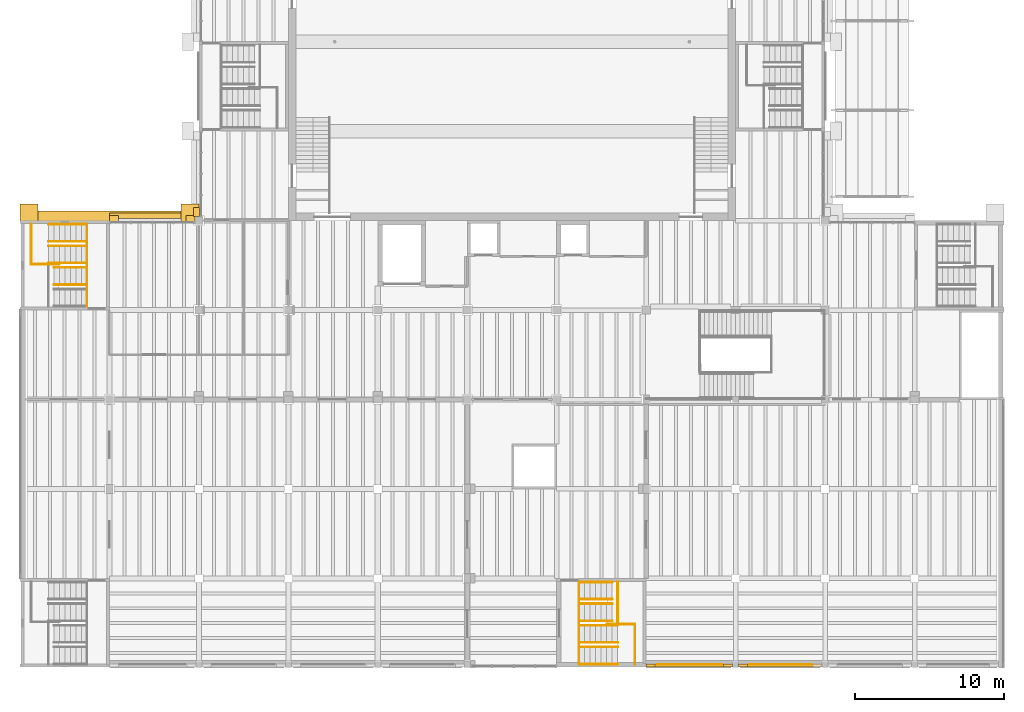
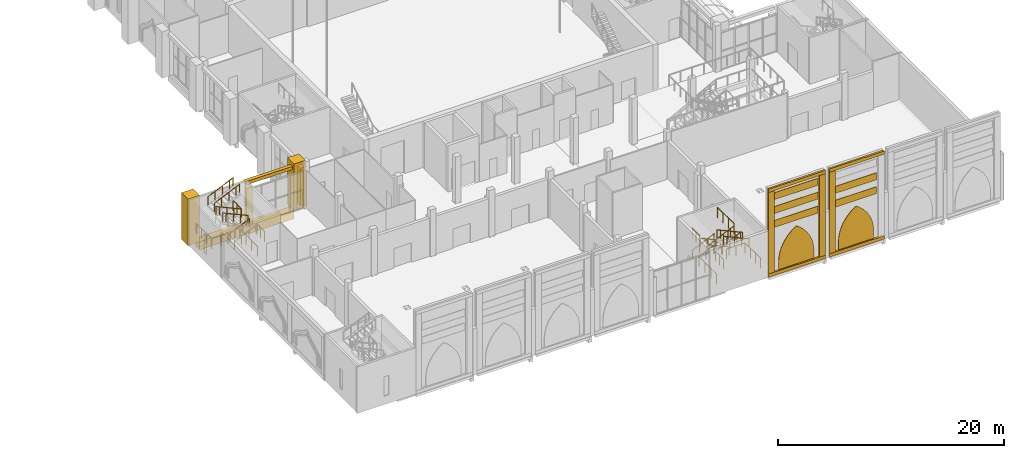
# One storey, part 60 of 80: 25 railings, 21 coverings.
"""IFC4 building model written with IfcOpenShell, lengths in metres."""

import ifcopenshell
import ifcopenshell.guid

model = None  # the IFC model being written
_history = None  # IfcOwnerHistory: only IFC2X3 demands one
_inside = {}  # id of a spatial element -> (the spatial element, [elements in it])
_under = {}  # id of a project, library or spatial element -> (it, [spatial elements below it])
_declared = {}  # id of a project -> (the project, [libraries it declares])
_typed = {}  # id of a type object -> (the type object, [elements of that type])
_made_of = {}  # id of a material, layer set ... -> (it, [elements and type objects made of it])


def new_model(schema):
    """Start an empty IFC model of exactly this schema.

    Asked for "IFC4X3", IfcOpenShell would pick the latest addendum, in which some entities
    have other attributes; the version numbers below select the first issue.
    IFC2X3 requires an IfcOwnerHistory on every rooted entity: one is made here for all.
    """
    global model, _history
    if schema == "IFC4X3":
        model = ifcopenshell.file(schema_version=(4, 3, 0, 0))
    else:
        model = ifcopenshell.file(schema=schema)
    _inside.clear()
    _under.clear()
    _declared.clear()
    _typed.clear()
    _made_of.clear()
    _history = None
    if model.schema == "IFC2X3":
        org = make("IfcOrganization", Name="unknown")
        user = make(
            "IfcPersonAndOrganization",
            ThePerson=make("IfcPerson", FamilyName="unknown"),
            TheOrganization=org,
        )
        app = make(
            "IfcApplication",
            ApplicationDeveloper=org,
            Version="unknown",
            ApplicationFullName="unknown",
            ApplicationIdentifier="unknown",
        )
        _history = make(
            "IfcOwnerHistory",
            OwningUser=user,
            OwningApplication=app,
            ChangeAction="ADDED",
            CreationDate=0,
        )
    return model


def make(cls, **values):
    """One entity of the class cls with the attributes given. An attribute that is None is left unset."""
    return model.create_entity(
        cls, **{name: value for name, value in values.items() if value is not None}
    )


def rooted(cls, **values):
    """An entity with a GlobalId (a new one), such as an element, a storey or a relation."""
    return make(cls, GlobalId=ifcopenshell.guid.new(), OwnerHistory=_history, **values)


def si_unit(unit_type, name, prefix=None):
    """IfcSIUnit, for example si_unit("LENGTHUNIT", "METRE", prefix="MILLI")."""
    return make("IfcSIUnit", UnitType=unit_type, Prefix=prefix, Name=name)


def assignment(units):
    """IfcUnitAssignment: the units of a project."""
    return None if units is None else make("IfcUnitAssignment", Units=units)


def point(xyz):
    """IfcCartesianPoint."""
    return None if xyz is None else make("IfcCartesianPoint", Coordinates=xyz)


def direction(xyz):
    """IfcDirection."""
    return None if xyz is None else make("IfcDirection", DirectionRatios=xyz)


def frame(location, z_axis=None, x_axis=None):
    """IfcAxis2Placement3D, a coordinate frame: its origin and axes. An axis left out is left unset."""
    return make(
        "IfcAxis2Placement3D",
        Location=point(location),
        Axis=direction(z_axis),
        RefDirection=direction(x_axis),
    )


def frame_2d(location, x_axis=None):
    """IfcAxis2Placement2D, a coordinate frame in the plane: its origin and x axis."""
    return make(
        "IfcAxis2Placement2D", Location=point(location), RefDirection=direction(x_axis)
    )


def origin():
    """The frame at (0, 0, 0) with its axes left unset."""
    return frame((0.0, 0.0, 0.0))


def origin_2d():
    """The frame at (0, 0) in the plane with its x axis left unset."""
    return frame_2d((0.0, 0.0))


def place(relative_to, where):
    """IfcLocalPlacement: puts the frame where relative to a parent placement (None: the world)."""
    return make(
        "IfcLocalPlacement", PlacementRelTo=relative_to, RelativePlacement=where
    )


def context(
    kind, dimensions, precision=None, world=None, true_north=None, identifier=None
):
    """IfcGeometricRepresentationContext, for example the 3D "Model" context."""
    return make(
        "IfcGeometricRepresentationContext",
        ContextIdentifier=identifier,
        ContextType=kind,
        CoordinateSpaceDimension=dimensions,
        Precision=precision,
        WorldCoordinateSystem=world,
        TrueNorth=true_north,
    )


def subcontext(parent, identifier, kind, view, scale=None):
    """IfcGeometricRepresentationSubContext, for example "Body" below "Model"."""
    return make(
        "IfcGeometricRepresentationSubContext",
        ContextIdentifier=identifier,
        ContextType=kind,
        ParentContext=parent,
        TargetScale=scale,
        TargetView=view,
    )


def project(units=None, contexts=None):
    """IfcProject with its units and contexts."""
    return rooted(
        "IfcProject",
        Name="project",
        RepresentationContexts=contexts,
        UnitsInContext=assignment(units),
    )


def spatial(cls, under=None, at=None, **own):
    """A site, building, storey or space (cls), placed at a placement, below another one or the project."""
    s = rooted(cls, ObjectPlacement=at, **own)
    if under is not None:
        _under.setdefault(under.id(), (under, []))[1].append(s)
    return s


def polyline(points):
    """IfcPolyline through the points."""
    return make("IfcPolyline", Points=[point(p) for p in points])


def profile(cls, at=None, kind="AREA", **sizes):
    """A parametric profile (cls). Its sizes go by their IFC names, for example OverallWidth=200.0."""
    return make(cls, ProfileType=kind, Position=at, **sizes)


def rectangle(**sizes):
    """IfcRectangleProfileDef."""
    return profile("IfcRectangleProfileDef", **sizes)


def circle(**sizes):
    """IfcCircleProfileDef."""
    return profile("IfcCircleProfileDef", **sizes)


def outline(outer, holes=None, kind="AREA"):
    """IfcArbitraryClosedProfileDef: a profile drawn as a closed curve; with holes, ...WithVoids."""
    if holes is None:
        return make("IfcArbitraryClosedProfileDef", ProfileType=kind, OuterCurve=outer)
    return make(
        "IfcArbitraryProfileDefWithVoids",
        ProfileType=kind,
        OuterCurve=outer,
        InnerCurves=holes,
    )


def extrude(swept, where, along, depth):
    """IfcExtrudedAreaSolid: the profile swept, set in the frame where, extruded along a direction by depth."""
    return make(
        "IfcExtrudedAreaSolid",
        SweptArea=swept,
        Position=where,
        ExtrudedDirection=direction(along),
        Depth=depth,
    )


def shape(context_of_items, identifier, shape_type, items):
    """IfcShapeRepresentation: the items that make up one representation, for example the "Body"."""
    return make(
        "IfcShapeRepresentation",
        ContextOfItems=context_of_items,
        RepresentationIdentifier=identifier,
        RepresentationType=shape_type,
        Items=items,
    )


def material(Name=None, Category=None):
    """IfcMaterial."""
    return make("IfcMaterial", Name=Name, Category=Category)


def layer(
    of_material, thickness, ventilated=None, Name=None, Category=None, Priority=None
):
    """IfcMaterialLayer: one layer of a wall or slab, of a material (None: an air gap)."""
    return make(
        "IfcMaterialLayer",
        Material=of_material,
        LayerThickness=thickness,
        IsVentilated=ventilated,
        Name=Name,
        Category=Category,
        Priority=Priority,
    )


def layer_set(layers, Name=None):
    """IfcMaterialLayerSet."""
    return make("IfcMaterialLayerSet", MaterialLayers=layers, LayerSetName=Name)


def made_of(thing, what):
    """Note that an element or type object is made of a material, layer set ...; save() writes the relation."""
    if what is not None:
        _made_of.setdefault(what.id(), (what, []))[1].append(thing)
    return thing


def type_object(cls, material=None, **own):
    """A type object (cls), such as IfcWallType, which elements share."""
    return made_of(rooted(cls, **own), material)


def element(
    cls,
    number,
    at=None,
    inside=None,
    cuts=None,
    type_object=None,
    material=None,
    context=None,
    identifier="Body",
    shape_type=None,
    held_by="IfcProductDefinitionShape",
    body=None,
    shapes=None,
    **own,
):
    """One element of the class cls, such as IfcWall. Its Tag is "e" and its number.

    at: its placement. inside: the storey or other place that contains it. cuts: it is an
    opening in that element (IfcRelVoidsElement). A single representation is given by context,
    identifier, shape_type and body (its items); several are given by shapes. held_by: the class
    of the entity that holds the representations. save() writes the other relations.
    """
    e = rooted(cls, Tag="e%d" % number, ObjectPlacement=at, **own)
    if body is not None:
        shapes = [shape(context, identifier, shape_type, body)]
    if shapes is not None:
        e.Representation = make(held_by, Representations=shapes)
    if inside is not None:
        _inside.setdefault(inside.id(), (inside, []))[1].append(e)
    if cuts is not None:
        rooted(
            "IfcRelVoidsElement", RelatingBuildingElement=cuts, RelatedOpeningElement=e
        )
    if type_object is not None:
        _typed.setdefault(type_object.id(), (type_object, []))[1].append(e)
    return made_of(e, material)


def aggregate(whole, parts):
    """IfcRelAggregates: a whole, such as a stair, and the parts it consists of."""
    return rooted("IfcRelAggregates", RelatingObject=whole, RelatedObjects=parts)


def save(model, path):
    """Write the relations noted so far, then the file.

    IfcRelAggregates (storeys below a building ...), IfcRelContainedInSpatialStructure (elements
    in a storey), IfcRelDefinesByType, IfcRelAssociatesMaterial and IfcRelDeclares: one each for
    every whole, place, type object, material and project.
    """
    for whole, parts in _under.values():
        aggregate(whole, parts)
    for where, things in _inside.values():
        rooted(
            "IfcRelContainedInSpatialStructure",
            RelatedElements=things,
            RelatingStructure=where,
        )
    for kind, things in _typed.values():
        rooted("IfcRelDefinesByType", RelatedObjects=things, RelatingType=kind)
    for what, things in _made_of.values():
        rooted("IfcRelAssociatesMaterial", RelatedObjects=things, RelatingMaterial=what)
    for by, libraries in _declared.values():
        rooted("IfcRelDeclares", RelatingContext=by, RelatedDefinitions=libraries)
    model.write(path)


model = new_model("IFC4")

# Units and contexts
model_context = context("Model", 3, precision=1e-05, world=origin(), true_north=direction((0.0, 1.0)))
body_context = subcontext(model_context, "Body", "Model", "MODEL_VIEW")
ifc_project = project(units=[si_unit("LENGTHUNIT", "METRE"), si_unit("AREAUNIT", "SQUARE_METRE"), si_unit("VOLUMEUNIT", "CUBIC_METRE"), si_unit("PLANEANGLEUNIT", "RADIAN"), si_unit("MASSUNIT", "GRAM", prefix="KILO")], contexts=[model_context])

# Site, building, storey
site_placement = place(None, origin())
site = spatial("IfcSite", under=ifc_project, at=site_placement, CompositionType="ELEMENT")
building_placement = place(site_placement, origin())
building = spatial("IfcBuilding", under=site, at=building_placement, Name="Saffron Lane Theatres", CompositionType="ELEMENT")
storey_placement = place(building_placement, frame((0.0, 0.0, 7.0)))
storey = spatial("IfcBuildingStorey", under=building, at=storey_placement, Name="L01", CompositionType="ELEMENT", Elevation=7.0)

# Coverings
ifc_material_1 = material(Name="Masonry pale clay brick", Category="masonry")
ifc_layer_1 = layer(ifc_material_1, 0.050048828125)
ifc_layer_set_1 = layer_set([ifc_layer_1], Name="Masonry pale clay brick")
covering_type_1 = type_object("IfcCoveringType", Name="EX-ARCH PANEL BRICK 50", PredefinedType="CLADDING", material=ifc_layer_set_1)
covering_1_placement = place(storey_placement, frame((52.800048828125, 0.25, 1.199951171875), z_axis=(0.0, 1.0, 0.0), x_axis=(0.0, 0.0, -1.0)))
element("IfcCovering", 1, at=covering_1_placement, inside=storey, type_object=covering_type_1, Name="Blind arch panel 5", PredefinedType="CLADDING", context=body_context, shape_type="SweptSolid", body=[
    extrude(outline(polyline([(0.0, 0.0), (0.89990234375, 0.0), (0.89990234375, 3.60009765625), (0.0, 3.60009765625), (-0.385986328125, 3.580078125), (-0.76904296875, 3.52197265625), (-1.14306640625, 3.425048828125), (-1.506103515625, 3.2900390625), (-1.85302734375, 3.1201171875), (-2.18115234375, 2.9150390625), (-2.487060546875, 2.677978515625), (-2.76708984375, 2.4111328125), (-3.01904296875, 2.1181640625), (-3.239990234375, 1.800048828125), (-3.01904296875, 1.48193359375), (-2.76708984375, 1.18896484375), (-2.487060546875, 0.922119140625), (-2.18115234375, 0.68505859375), (-1.85302734375, 0.47998046875), (-1.506103515625, 0.31005859375), (-1.14306640625, 0.175048828125), (-0.76904296875, 0.078125), (-0.385986328125, 0.02001953125), (0.0, 0.0)])), origin(), (0.0, 0.0, -1.0), 0.050048828125),
])
covering_2_placement = place(storey_placement, frame((46.699951171875, 0.25, 1.199951171875), z_axis=(0.0, 1.0, 0.0), x_axis=(0.0, 0.0, -1.0)))
element("IfcCovering", 2, at=covering_2_placement, inside=storey, type_object=covering_type_1, Name="Blind arch panel 6", PredefinedType="CLADDING", context=body_context, shape_type="SweptSolid", body=[
    extrude(outline(polyline([(0.0, 0.0), (0.89990234375, 0.0), (0.89990234375, 3.599853515625), (0.0, 3.599853515625), (-0.385986328125, 3.579833984375), (-0.76904296875, 3.52197265625), (-1.14306640625, 3.425048828125), (-1.506103515625, 3.2900390625), (-1.85302734375, 3.119873046875), (-2.18115234375, 2.9150390625), (-2.487060546875, 2.677978515625), (-2.76708984375, 2.410888671875), (-3.01904296875, 2.117919921875), (-3.239990234375, 1.800048828125), (-3.01904296875, 1.48193359375), (-2.76708984375, 1.18896484375), (-2.487060546875, 0.921875), (-2.18115234375, 0.68505859375), (-1.85302734375, 0.47998046875), (-1.506103515625, 0.31005859375), (-1.14306640625, 0.175048828125), (-0.76904296875, 0.077880859375), (-0.385986328125, 0.02001953125), (0.0, 0.0)])), origin(), (0.0, 0.0, -1.0), 0.050048828125),
])
ifc_material_2 = material(Name="Masonry sandstone", Category="masonry")
ifc_layer_2 = layer(ifc_material_2, 0.0400390625)
ifc_layer_set_2 = layer_set([ifc_layer_2], Name="Masonry sandstone")
covering_type_2 = type_object("IfcCoveringType", Name="EX-BANDING COURSE SANDSTONE 40", PredefinedType="CLADDING", material=ifc_layer_set_2)
for number, where, z_axis, x_axis, name in (
    (3, (51.0, 0.22998046875, 5.050048828125), (0.0, 0.0, 1.0), (-1.0, 0.0, 0.0), "Banding course L01"),
    (4, (51.0, 0.22998046875, 6.550048828125), (0.0, 0.0, 1.0), (-1.0, 0.0, 0.0), "Banding course L01"),
):
    element("IfcCovering", number, at=place(storey_placement, frame(where, z_axis=z_axis, x_axis=x_axis)), inside=storey, type_object=covering_type_2, Name=name, PredefinedType="CLADDING", context=body_context, shape_type="SweptSolid", body=[
        extrude(rectangle(XDim=4.199951171875, YDim=0.0400390625, at=origin_2d()), origin(), (0.0, 0.0, 1.0), 0.75),
    ])
for number, where, z_axis, x_axis, name in (
    (5, (44.89990234375, 0.22998046875, 5.050048828125), (0.0, 0.0, 1.0), (-1.0, 0.0, 0.0), "Banding course L01"),
    (6, (44.89990234375, 0.22998046875, 6.550048828125), (0.0, 0.0, 1.0), (-1.0, 0.0, 0.0), "Banding course L01"),
    (7, (44.89990234375, 0.22998046875, 8.050048828125), (0.0, 0.0, 1.0), (-1.0, 0.0, 0.0), "Banding course L01"),
):
    element("IfcCovering", number, at=place(storey_placement, frame(where, z_axis=z_axis, x_axis=x_axis)), inside=storey, type_object=covering_type_2, Name=name, PredefinedType="CLADDING", context=body_context, shape_type="SweptSolid", body=[
        extrude(rectangle(XDim=4.39990234375, YDim=0.0400390625, at=origin_2d()), origin(), (0.0, 0.0, 1.0), 0.75),
    ])
ifc_material_3 = material(Name="Masonry sandstone", Category="masonry")
ifc_layer_3 = layer(ifc_material_3, 0.64990234375)
ifc_layer_set_3 = layer_set([ifc_layer_3], Name="Masonry sandstone")
covering_type_3 = type_object("IfcCoveringType", Name="EX-BRESSUMMER BAND SANDSTONE 650", PredefinedType="CLADDING", material=ifc_layer_set_3)
covering_3_placement = place(storey_placement, frame((6.0, 30.300048828125, -0.89990234375), z_axis=(0.0, 0.0, 1.0), x_axis=(1.0, 0.0, 0.0)))
element("IfcCovering", 8, at=covering_3_placement, inside=storey, type_object=covering_type_3, Name="Rear bressummer band L01", PredefinedType="CLADDING", context=body_context, shape_type="SweptSolid", body=[
    extrude(rectangle(XDim=9.60009765625, YDim=0.699951171875, at=origin_2d()), origin(), (0.0, 0.0, 1.0), 0.89990234375),
])
ifc_material_4 = material(Name="Masonry sandstone", Category="masonry")
ifc_layer_4 = layer(ifc_material_4, 0.39990234375)
ifc_layer_set_4 = layer_set([ifc_layer_4], Name="Masonry sandstone")
covering_type_4 = type_object("IfcCoveringType", Name="EX-PILASTER PIER SANDSTONE 400", PredefinedType="CLADDING", material=ifc_layer_set_4)
for number, where, z_axis, x_axis, name in (
    (9, (6.300048828125, 30.14990234375, 0.0), (0.0, 0.0, 1.0), (1.0, 0.0, 0.0), "Pilaster pier L01"),
    (10, (11.425048828125, 30.14990234375, 0.0), (0.0, 0.0, 1.0), (1.0, 0.0, 0.0), "Pilaster pier L01"),
    (11, (11.85009765625, 30.574951171875, 0.0), (0.0, 0.0, 1.0), (0.0, 1.0, 0.0), "Pilaster pier L01"),
):
    element("IfcCovering", number, at=place(storey_placement, frame(where, z_axis=z_axis, x_axis=x_axis)), inside=storey, type_object=covering_type_4, Name=name, PredefinedType="CLADDING", context=body_context, shape_type="SweptSolid", body=[
        extrude(rectangle(XDim=0.60009765625, YDim=0.39990234375, at=origin_2d()), origin(), (0.0, 0.0, 1.0), 4.050048828125),
    ])
ifc_material_5 = material(Name="Masonry sandstone", Category="masonry")
ifc_layer_5 = layer(ifc_material_5, 0.14990234375)
ifc_layer_set_5 = layer_set([ifc_layer_5], Name="Masonry sandstone")
covering_type_5 = type_object("IfcCoveringType", Name="EX-PILASTER STRIP SANDSTONE 600", PredefinedType="CLADDING", material=ifc_layer_set_5)
for number, where, z_axis, x_axis, name in (
    (12, (48.5, 0.155029296875, 0.35009765625), (0.0, 0.0, 1.0), (-1.0, 0.0, 0.0), "Pilaster strip L01"),
    (13, (47.5, 0.155029296875, 0.35009765625), (0.0, 0.0, 1.0), (-1.0, 0.0, 0.0), "Pilaster strip L01"),
    (14, (42.300048828125, 0.155029296875, 0.35009765625), (0.0, 0.0, 1.0), (-1.0, 0.0, 0.0), "Pilaster strip L01"),
):
    element("IfcCovering", number, at=place(storey_placement, frame(where, z_axis=z_axis, x_axis=x_axis)), inside=storey, type_object=covering_type_5, Name=name, PredefinedType="CLADDING", context=body_context, shape_type="SweptSolid", body=[
        extrude(rectangle(XDim=0.60009765625, YDim=0.18994140625, at=origin_2d()), origin(), (0.0, 0.0, 1.0), 8.800048828125),
    ])
ifc_material_6 = material(Name="Masonry sandstone", Category="masonry")
ifc_layer_6 = layer(ifc_material_6, 1.199951171875)
ifc_layer_set_6 = layer_set([ifc_layer_6], Name="Masonry sandstone")
covering_type_6 = type_object("IfcCoveringType", Name="EX-REAR BUTTRESS PIER SANDSTONE 1200", PredefinedType="CLADDING", material=ifc_layer_set_6)
for number, where, z_axis, x_axis, name in (
    (15, (0.60009765625, 30.52490234375, 0.0), (0.0, 0.0, 1.0), (1.0, 0.0, 0.0), "Rear buttress pier L01"),
    (16, (11.39990234375, 30.52490234375, 0.0), (0.0, 0.0, 1.0), (1.0, 0.0, 0.0), "Rear buttress pier L01"),
):
    element("IfcCovering", number, at=place(storey_placement, frame(where, z_axis=z_axis, x_axis=x_axis)), inside=storey, type_object=covering_type_6, Name=name, PredefinedType="CLADDING", context=body_context, shape_type="SweptSolid", body=[
        extrude(rectangle(XDim=1.199951171875, YDim=1.14990234375, at=origin_2d()), origin(), (0.0, 0.0, 1.0), 5.0),
    ])
ifc_material_7 = material(Name="Masonry sandstone", Category="masonry")
ifc_layer_7 = layer(ifc_material_7, 0.14990234375)
ifc_layer_set_7 = layer_set([ifc_layer_7], Name="Masonry sandstone")
covering_type_7 = type_object("IfcCoveringType", Name="EX-STRING COURSE AND CORNICE SANDSTONE 350", PredefinedType="CLADDING", material=ifc_layer_set_7)
for number, where, z_axis, x_axis, name in (
    (17, (51.0, 0.155029296875, 0.0), (0.0, 0.0, 1.0), (-1.0, 0.0, 0.0), "String course L01"),
    (18, (51.0, 0.155029296875, 9.14990234375), (0.0, 0.0, 1.0), (-1.0, 0.0, 0.0), "Cornice L01"),
):
    element("IfcCovering", number, at=place(storey_placement, frame(where, z_axis=z_axis, x_axis=x_axis)), inside=storey, type_object=covering_type_7, Name=name, PredefinedType="CLADDING", context=body_context, shape_type="SweptSolid", body=[
        extrude(rectangle(XDim=5.60009765625, YDim=0.18994140625, at=origin_2d()), origin(), (0.0, 0.0, 1.0), 0.35009765625),
    ])
for number, where, z_axis, x_axis, name in (
    (19, (44.89990234375, 0.155029296875, 0.0), (0.0, 0.0, 1.0), (-1.0, 0.0, 0.0), "String course L01"),
    (20, (44.89990234375, 0.155029296875, 9.14990234375), (0.0, 0.0, 1.0), (-1.0, 0.0, 0.0), "Cornice L01"),
):
    element("IfcCovering", number, at=place(storey_placement, frame(where, z_axis=z_axis, x_axis=x_axis)), inside=storey, type_object=covering_type_7, Name=name, PredefinedType="CLADDING", context=body_context, shape_type="SweptSolid", body=[
        extrude(rectangle(XDim=5.800048828125, YDim=0.18994140625, at=origin_2d()), origin(), (0.0, 0.0, 1.0), 0.35009765625),
    ])
ifc_material_8 = material(Name="Masonry sandstone", Category="masonry")
ifc_layer_8 = layer(ifc_material_8, 0.300048828125)
ifc_layer_set_8 = layer_set([ifc_layer_8], Name="Masonry sandstone")
covering_type_8 = type_object("IfcCoveringType", Name="EX-STRING COURSE SANDSTONE 350", PredefinedType="CLADDING", material=ifc_layer_set_8)
covering_4_placement = place(storey_placement, frame((8.863037109375, 30.324951171875, 4.300048828125), z_axis=(0.0, 0.0, 1.0), x_axis=(1.0, 0.0, 0.0)))
element("IfcCovering", 21, at=covering_4_placement, inside=storey, type_object=covering_type_8, Name="String course L01", PredefinedType="CLADDING", context=body_context, shape_type="SweptSolid", body=[
    extrude(rectangle(XDim=5.72509765625, YDim=0.35009765625, at=origin_2d()), origin(), (0.0, 0.0, 1.0), 0.35009765625),
])

# Railings
ifc_material_9 = material(Name="Steel Grade 350", Category="steel")
railing_type_1 = type_object("IfcRailingType", Name="VC-GUARD 1100", PredefinedType="GUARDRAIL", material=ifc_material_9)
railing_1_placement = place(storey_placement, frame((41.25, 2.89990234375, 1.166748046875)))
element("IfcRailing", 22, at=railing_1_placement, inside=storey, type_object=railing_type_1, Name="Studio South Stair landing guard 2N1s", PredefinedType="GUARDRAIL", context=body_context, shape_type="SweptSolid", body=[
    extrude(circle(Radius=0.02392578125, at=origin_2d()), frame((0.0, 0.0, 1.076171875), z_axis=(0.0, -1.0, 0.0), x_axis=(1.0, 0.0, 0.0)), (0.0, 0.0, 1.0), 2.669921875),
    extrude(circle(Radius=0.02099609375, at=origin_2d()), origin(), (0.0, 0.0, 1.0), 1.052001953125),
    extrude(circle(Radius=0.02099609375, at=origin_2d()), frame((0.0, -0.889892578125, 0.0)), (0.0, 0.0, 1.0), 1.052001953125),
    extrude(circle(Radius=0.02099609375, at=origin_2d()), frame((0.0, -1.780029296875, 0.0)), (0.0, 0.0, 1.0), 1.052001953125),
    extrude(circle(Radius=0.02099609375, at=origin_2d()), frame((0.0, -2.669921875, 0.0)), (0.0, 0.0, 1.0), 1.052001953125),
])
railing_2_placement = place(storey_placement, frame((39.3701171875, 2.929931640625, 1.166748046875)))
element("IfcRailing", 23, at=railing_2_placement, inside=storey, type_object=railing_type_1, Name="Studio South Stair landing guard 2N1e", PredefinedType="GUARDRAIL", context=body_context, shape_type="SweptSolid", body=[
    extrude(circle(Radius=0.02392578125, at=origin_2d()), frame((0.0, 0.0, 1.076171875), z_axis=(1.0, 0.0, 0.0), x_axis=(0.0, 1.0, 0.0)), (0.0, 0.0, 1.0), 1.8798828125),
    extrude(circle(Radius=0.02099609375, at=origin_2d()), origin(), (0.0, 0.0, 1.0), 1.052001953125),
    extrude(circle(Radius=0.02099609375, at=origin_2d()), frame((0.93994140625, 0.0, 0.0)), (0.0, 0.0, 1.0), 1.052001953125),
    extrude(circle(Radius=0.02099609375, at=origin_2d()), frame((1.8798828125, 0.0, 0.0)), (0.0, 0.0, 1.0), 1.052001953125),
])
railing_3_placement = place(storey_placement, frame((40.090087890625, 5.77001953125, 3.666748046875)))
element("IfcRailing", 24, at=railing_3_placement, inside=storey, type_object=railing_type_1, Name="Studio South Stair landing guard 2N2s", PredefinedType="GUARDRAIL", context=body_context, shape_type="SweptSolid", body=[
    extrude(circle(Radius=0.02392578125, at=origin_2d()), frame((0.0, 0.0, 1.076171875), z_axis=(0.0, -1.0, 0.0), x_axis=(1.0, 0.0, 0.0)), (0.0, 0.0, 1.0), 2.8701171875),
    extrude(circle(Radius=0.02099609375, at=origin_2d()), origin(), (0.0, 0.0, 1.0), 1.052001953125),
    extrude(circle(Radius=0.02099609375, at=origin_2d()), frame((0.0, -0.956787109375, 0.0)), (0.0, 0.0, 1.0), 1.052001953125),
    extrude(circle(Radius=0.02099609375, at=origin_2d()), frame((0.0, -1.913330078125, 0.0)), (0.0, 0.0, 1.0), 1.052001953125),
    extrude(circle(Radius=0.02099609375, at=origin_2d()), frame((0.0, -2.8701171875, 0.0)), (0.0, 0.0, 1.0), 1.052001953125),
])
railing_4_placement = place(storey_placement, frame((37.5, 5.77001953125, 2.333251953125)))
element("IfcRailing", 25, at=railing_4_placement, inside=storey, type_object=railing_type_1, Name="Studio South Stair landing guard 2S2w", PredefinedType="GUARDRAIL", context=body_context, shape_type="SweptSolid", body=[
    extrude(circle(Radius=0.02392578125, at=origin_2d()), frame((0.0, 0.0, 1.076171875), z_axis=(0.0, -1.0, 0.0), x_axis=(1.0, 0.0, 0.0)), (0.0, 0.0, 1.0), 1.320068359375),
    extrude(circle(Radius=0.02099609375, at=origin_2d()), origin(), (0.0, 0.0, 1.0), 1.052001953125),
    extrude(circle(Radius=0.02099609375, at=origin_2d()), frame((0.0, -0.66015625, 0.0)), (0.0, 0.0, 1.0), 1.052001953125),
    extrude(circle(Radius=0.02099609375, at=origin_2d()), frame((0.0, -1.320068359375, 0.0)), (0.0, 0.0, 1.0), 1.052001953125),
])
railing_5_placement = place(storey_placement, frame((37.5, 1.64990234375, 2.333251953125)))
element("IfcRailing", 26, at=railing_5_placement, inside=storey, type_object=railing_type_1, Name="Studio South Stair landing guard 2S2e", PredefinedType="GUARDRAIL", context=body_context, shape_type="SweptSolid", body=[
    extrude(circle(Radius=0.02392578125, at=origin_2d()), frame((0.0, 0.0, 1.076171875), z_axis=(0.0, -1.0, 0.0), x_axis=(1.0, 0.0, 0.0)), (0.0, 0.0, 1.0), 1.419921875),
    extrude(circle(Radius=0.02099609375, at=origin_2d()), origin(), (0.0, 0.0, 1.0), 1.052001953125),
    extrude(circle(Radius=0.02099609375, at=origin_2d()), frame((0.0, -0.7099609375, 0.0)), (0.0, 0.0, 1.0), 1.052001953125),
    extrude(circle(Radius=0.02099609375, at=origin_2d()), frame((0.0, -1.419921875, 0.0)), (0.0, 0.0, 1.0), 1.052001953125),
])
railing_6_placement = place(storey_placement, frame((37.5, 4.550048828125, 0.0)))
element("IfcRailing", 27, at=railing_6_placement, inside=storey, type_object=railing_type_1, Name="Studio South Stair guard L01", PredefinedType="GUARDRAIL", context=body_context, shape_type="SweptSolid", body=[
    extrude(circle(Radius=0.02392578125, at=origin_2d()), frame((0.0, 0.0, 1.076171875), z_axis=(0.0, -1.0, 0.0), x_axis=(1.0, 0.0, 0.0)), (0.0, 0.0, 1.0), 3.10009765625),
    extrude(circle(Radius=0.02099609375, at=origin_2d()), origin(), (0.0, 0.0, 1.0), 1.052001953125),
    extrude(circle(Radius=0.02099609375, at=origin_2d()), frame((0.0, -1.033447265625, 0.0)), (0.0, 0.0, 1.0), 1.052001953125),
    extrude(circle(Radius=0.02099609375, at=origin_2d()), frame((0.0, -2.066650390625, 0.0)), (0.0, 0.0, 1.0), 1.052001953125),
    extrude(circle(Radius=0.02099609375, at=origin_2d()), frame((0.0, -3.10009765625, 0.0)), (0.0, 0.0, 1.0), 1.052001953125),
])
railing_7_placement = place(storey_placement, frame((0.75, 27.10009765625, 1.166748046875)))
element("IfcRailing", 28, at=railing_7_placement, inside=storey, type_object=railing_type_1, Name="Workshop North Stair landing guard 2N1s", PredefinedType="GUARDRAIL", context=body_context, shape_type="SweptSolid", body=[
    extrude(circle(Radius=0.02392578125, at=origin_2d()), frame((0.0, 0.0, 1.076171875), z_axis=(0.0, 1.0, 0.0), x_axis=(-1.0, 0.0, 0.0)), (0.0, 0.0, 1.0), 2.669921875),
    extrude(circle(Radius=0.02099609375, at=origin_2d()), origin(), (0.0, 0.0, 1.0), 1.052001953125),
    extrude(circle(Radius=0.02099609375, at=origin_2d()), frame((0.0, 0.889892578125, 0.0)), (0.0, 0.0, 1.0), 1.052001953125),
    extrude(circle(Radius=0.02099609375, at=origin_2d()), frame((0.0, 1.780029296875, 0.0)), (0.0, 0.0, 1.0), 1.052001953125),
    extrude(circle(Radius=0.02099609375, at=origin_2d()), frame((0.0, 2.669921875, 0.0)), (0.0, 0.0, 1.0), 1.052001953125),
])
railing_8_placement = place(storey_placement, frame((2.6298828125, 27.070068359375, 1.166748046875)))
element("IfcRailing", 29, at=railing_8_placement, inside=storey, type_object=railing_type_1, Name="Workshop North Stair landing guard 2N1e", PredefinedType="GUARDRAIL", context=body_context, shape_type="SweptSolid", body=[
    extrude(circle(Radius=0.02392578125, at=origin_2d()), frame((0.0, 0.0, 1.076171875), z_axis=(-1.0, 0.0, 0.0), x_axis=(0.0, -1.0, 0.0)), (0.0, 0.0, 1.0), 1.8798828125),
    extrude(circle(Radius=0.02099609375, at=origin_2d()), origin(), (0.0, 0.0, 1.0), 1.052001953125),
    extrude(circle(Radius=0.02099609375, at=origin_2d()), frame((-0.93994140625, 0.0, 0.0)), (0.0, 0.0, 1.0), 1.052001953125),
    extrude(circle(Radius=0.02099609375, at=origin_2d()), frame((-1.8798828125, 0.0, 0.0)), (0.0, 0.0, 1.0), 1.052001953125),
])
railing_9_placement = place(storey_placement, frame((4.5, 24.22998046875, 2.333251953125)))
element("IfcRailing", 30, at=railing_9_placement, inside=storey, type_object=railing_type_1, Name="Workshop North Stair landing guard 2S2w", PredefinedType="GUARDRAIL", context=body_context, shape_type="SweptSolid", body=[
    extrude(circle(Radius=0.02392578125, at=origin_2d()), frame((0.0, 0.0, 1.076171875), z_axis=(0.0, 1.0, 0.0), x_axis=(-1.0, 0.0, 0.0)), (0.0, 0.0, 1.0), 1.320068359375),
    extrude(circle(Radius=0.02099609375, at=origin_2d()), origin(), (0.0, 0.0, 1.0), 1.052001953125),
    extrude(circle(Radius=0.02099609375, at=origin_2d()), frame((0.0, 0.66015625, 0.0)), (0.0, 0.0, 1.0), 1.052001953125),
    extrude(circle(Radius=0.02099609375, at=origin_2d()), frame((0.0, 1.320068359375, 0.0)), (0.0, 0.0, 1.0), 1.052001953125),
])
railing_10_placement = place(storey_placement, frame((4.5, 28.35009765625, 2.333251953125)))
element("IfcRailing", 31, at=railing_10_placement, inside=storey, type_object=railing_type_1, Name="Workshop North Stair landing guard 2S2e", PredefinedType="GUARDRAIL", context=body_context, shape_type="SweptSolid", body=[
    extrude(circle(Radius=0.02392578125, at=origin_2d()), frame((0.0, 0.0, 1.076171875), z_axis=(0.0, 1.0, 0.0), x_axis=(-1.0, 0.0, 0.0)), (0.0, 0.0, 1.0), 1.419921875),
    extrude(circle(Radius=0.02099609375, at=origin_2d()), origin(), (0.0, 0.0, 1.0), 1.052001953125),
    extrude(circle(Radius=0.02099609375, at=origin_2d()), frame((0.0, 0.7099609375, 0.0)), (0.0, 0.0, 1.0), 1.052001953125),
    extrude(circle(Radius=0.02099609375, at=origin_2d()), frame((0.0, 1.419921875, 0.0)), (0.0, 0.0, 1.0), 1.052001953125),
])
railing_11_placement = place(storey_placement, frame((4.5, 25.449951171875, 0.0)))
element("IfcRailing", 32, at=railing_11_placement, inside=storey, type_object=railing_type_1, Name="Workshop North Stair guard L01", PredefinedType="GUARDRAIL", context=body_context, shape_type="SweptSolid", body=[
    extrude(circle(Radius=0.02392578125, at=origin_2d()), frame((0.0, 0.0, 1.076171875), z_axis=(0.0, 1.0, 0.0), x_axis=(-1.0, 0.0, 0.0)), (0.0, 0.0, 1.0), 3.10009765625),
    extrude(circle(Radius=0.02099609375, at=origin_2d()), origin(), (0.0, 0.0, 1.0), 1.052001953125),
    extrude(circle(Radius=0.02099609375, at=origin_2d()), frame((0.0, 1.033447265625, 0.0)), (0.0, 0.0, 1.0), 1.052001953125),
    extrude(circle(Radius=0.02099609375, at=origin_2d()), frame((0.0, 2.066650390625, 0.0)), (0.0, 0.0, 1.0), 1.052001953125),
    extrude(circle(Radius=0.02099609375, at=origin_2d()), frame((0.0, 3.10009765625, 0.0)), (0.0, 0.0, 1.0), 1.052001953125),
])
ifc_material_10 = material(Name="Steel Grade 350", Category="steel")
railing_type_2 = type_object("IfcRailingType", Name="VC-HANDRAIL 900", PredefinedType="HANDRAIL", material=ifc_material_10)
for number, where, name in (
    (33, (37.5, 5.75, 0.166748046875), "Studio South Stair handrail 2.1a"),
    (34, (37.5, 4.60009765625, 0.166748046875), "Studio South Stair handrail 2.1b"),
):
    element("IfcRailing", number, at=place(storey_placement, frame(where)), inside=storey, type_object=railing_type_2, Name=name, PredefinedType="HANDRAIL", context=body_context, shape_type="SweptSolid", body=[
        extrude(circle(Radius=0.02392578125, at=origin_2d()), frame((0.0, 0.0, 0.8759765625), z_axis=(0.911803263409, 0.0, 0.410627335715), x_axis=(0.0, 1.0, 0.0)), (0.0, 0.0, 1.0), 0.8115234375),
        extrude(circle(Radius=0.02392578125, at=origin_2d()), frame((0.739990234375, 0.0, 1.208984375), z_axis=(0.911803263409, 0.0, 0.410627335715), x_axis=(0.0, 1.0, 0.0)), (0.0, 0.0, 1.0), 0.8115234375),
        extrude(circle(Radius=0.02392578125, at=origin_2d()), frame((1.47998046875, 0.0, 1.54248046875), z_axis=(0.911690610408, 0.0, 0.410877391559), x_axis=(0.0, 1.0, 0.0)), (0.0, 0.0, 1.0), 0.811767578125),
        extrude(circle(Radius=0.02099609375, at=origin_2d()), origin(), (0.0, 0.0, 1.0), 0.851806640625),
        extrude(circle(Radius=0.02099609375, at=origin_2d()), frame((0.739990234375, 0.0, 0.333251953125)), (0.0, 0.0, 1.0), 0.851806640625),
        extrude(circle(Radius=0.02099609375, at=origin_2d()), frame((1.47998046875, 0.0, 0.66650390625)), (0.0, 0.0, 1.0), 0.851806640625),
        extrude(circle(Radius=0.02099609375, at=origin_2d()), frame((2.219970703125, 0.0, 1.0)), (0.0, 0.0, 1.0), 0.851806640625),
    ])
for number, where, name in (
    (35, (39.719970703125, 4.300048828125, 1.333251953125), "Studio South Stair handrail 2.2a"),
    (36, (39.719970703125, 3.14990234375, 1.333251953125), "Studio South Stair handrail 2.2b"),
):
    element("IfcRailing", number, at=place(storey_placement, frame(where)), inside=storey, type_object=railing_type_2, Name=name, PredefinedType="HANDRAIL", context=body_context, shape_type="SweptSolid", body=[
        extrude(circle(Radius=0.02392578125, at=origin_2d()), frame((0.0, 0.0, 0.8759765625), z_axis=(-0.911690610408, 0.0, 0.410877391559), x_axis=(0.0, -1.0, 0.0)), (0.0, 0.0, 1.0), 0.811767578125),
        extrude(circle(Radius=0.02392578125, at=origin_2d()), frame((-0.739990234375, 0.0, 1.20947265625), z_axis=(-0.911803263409, 0.0, 0.410627335715), x_axis=(0.0, -1.0, 0.0)), (0.0, 0.0, 1.0), 0.8115234375),
        extrude(circle(Radius=0.02392578125, at=origin_2d()), frame((-1.47998046875, 0.0, 1.54248046875), z_axis=(-0.911803263409, 0.0, 0.410627335715), x_axis=(0.0, -1.0, 0.0)), (0.0, 0.0, 1.0), 0.8115234375),
        extrude(circle(Radius=0.02099609375, at=origin_2d()), origin(), (0.0, 0.0, 1.0), 0.851806640625),
        extrude(circle(Radius=0.02099609375, at=origin_2d()), frame((-0.739990234375, 0.0, 0.33349609375)), (0.0, 0.0, 1.0), 0.851806640625),
        extrude(circle(Radius=0.02099609375, at=origin_2d()), frame((-1.47998046875, 0.0, 0.666748046875)), (0.0, 0.0, 1.0), 0.851806640625),
        extrude(circle(Radius=0.02099609375, at=origin_2d()), frame((-2.219970703125, 0.0, 1.0)), (0.0, 0.0, 1.0), 0.851806640625),
    ])
for number, where, name in (
    (37, (37.5, 2.85009765625, 2.5), "Studio South Stair handrail 2.3a"),
    (38, (37.5, 1.699951171875, 2.5), "Studio South Stair handrail 2.3b"),
):
    element("IfcRailing", number, at=place(storey_placement, frame(where)), inside=storey, type_object=railing_type_2, Name=name, PredefinedType="HANDRAIL", context=body_context, shape_type="SweptSolid", body=[
        extrude(circle(Radius=0.02392578125, at=origin_2d()), frame((0.0, 0.0, 0.8759765625), z_axis=(0.911803263409, 0.0, 0.410627335715), x_axis=(0.0, 1.0, 0.0)), (0.0, 0.0, 1.0), 0.8115234375),
        extrude(circle(Radius=0.02392578125, at=origin_2d()), frame((0.739990234375, 0.0, 1.208984375), z_axis=(0.911690610408, 0.0, 0.410877391559), x_axis=(0.0, 1.0, 0.0)), (0.0, 0.0, 1.0), 0.811767578125),
        extrude(circle(Radius=0.02392578125, at=origin_2d()), frame((1.47998046875, 0.0, 1.54248046875), z_axis=(0.911803263409, 0.0, 0.410627335715), x_axis=(0.0, 1.0, 0.0)), (0.0, 0.0, 1.0), 0.8115234375),
        extrude(circle(Radius=0.02392578125, at=origin_2d()), frame((2.219970703125, 0.0, 1.8759765625), z_axis=(0.911741368748, 0.0, 0.410764745947), x_axis=(0.0, 1.0, 0.0)), (0.0, 0.0, 1.0), 0.406005859375),
        extrude(circle(Radius=0.02099609375, at=origin_2d()), origin(), (0.0, 0.0, 1.0), 0.851806640625),
        extrude(circle(Radius=0.02099609375, at=origin_2d()), frame((0.739990234375, 0.0, 0.333251953125)), (0.0, 0.0, 1.0), 0.851806640625),
        extrude(circle(Radius=0.02099609375, at=origin_2d()), frame((1.47998046875, 0.0, 0.666748046875)), (0.0, 0.0, 1.0), 0.851806640625),
        extrude(circle(Radius=0.02099609375, at=origin_2d()), frame((2.219970703125, 0.0, 1.0)), (0.0, 0.0, 1.0), 0.851806640625),
        extrude(circle(Radius=0.02099609375, at=origin_2d()), frame((2.590087890625, 0.0, 1.166748046875)), (0.0, 0.0, 1.0), 0.851806640625),
    ])
for number, where, name in (
    (39, (40.090087890625, 1.39990234375, 3.833251953125), "Studio South Stair handrail 2.4a"),
    (40, (40.090087890625, 0.25, 3.833251953125), "Studio South Stair handrail 2.4b"),
):
    element("IfcRailing", number, at=place(storey_placement, frame(where)), inside=storey, type_object=railing_type_2, Name=name, PredefinedType="HANDRAIL", context=body_context, shape_type="SweptSolid", body=[
        extrude(circle(Radius=0.02392578125, at=origin_2d()), frame((0.0, 0.0, 0.8759765625), z_axis=(-0.911690610408, 0.0, 0.410877391559), x_axis=(0.0, -1.0, 0.0)), (0.0, 0.0, 1.0), 0.811767578125),
        extrude(circle(Radius=0.02392578125, at=origin_2d()), frame((-0.739990234375, 0.0, 1.20947265625), z_axis=(-0.911803263409, 0.0, 0.410627335715), x_axis=(0.0, -1.0, 0.0)), (0.0, 0.0, 1.0), 0.8115234375),
        extrude(circle(Radius=0.02392578125, at=origin_2d()), frame((-1.47998046875, 0.0, 1.54248046875), z_axis=(-0.911803263409, 0.0, 0.410627335715), x_axis=(0.0, -1.0, 0.0)), (0.0, 0.0, 1.0), 0.8115234375),
        extrude(circle(Radius=0.02392578125, at=origin_2d()), frame((-2.219970703125, 0.0, 1.8759765625), z_axis=(-0.911741368748, 0.0, 0.410764745947), x_axis=(0.0, -1.0, 0.0)), (0.0, 0.0, 1.0), 0.406005859375),
        extrude(circle(Radius=0.02099609375, at=origin_2d()), origin(), (0.0, 0.0, 1.0), 0.851806640625),
        extrude(circle(Radius=0.02099609375, at=origin_2d()), frame((-0.739990234375, 0.0, 0.33349609375)), (0.0, 0.0, 1.0), 0.851806640625),
        extrude(circle(Radius=0.02099609375, at=origin_2d()), frame((-1.47998046875, 0.0, 0.666748046875)), (0.0, 0.0, 1.0), 0.851806640625),
        extrude(circle(Radius=0.02099609375, at=origin_2d()), frame((-2.219970703125, 0.0, 1.0)), (0.0, 0.0, 1.0), 0.851806640625),
        extrude(circle(Radius=0.02099609375, at=origin_2d()), frame((-2.590087890625, 0.0, 1.166748046875)), (0.0, 0.0, 1.0), 0.851806640625),
    ])
for number, where, name in (
    (41, (2.280029296875, 25.699951171875, 1.333251953125), "Workshop North Stair handrail 2.2a"),
    (42, (2.280029296875, 26.85009765625, 1.333251953125), "Workshop North Stair handrail 2.2b"),
):
    element("IfcRailing", number, at=place(storey_placement, frame(where)), inside=storey, type_object=railing_type_2, Name=name, PredefinedType="HANDRAIL", context=body_context, shape_type="SweptSolid", body=[
        extrude(circle(Radius=0.02392578125, at=origin_2d()), frame((0.0, 0.0, 0.8759765625), z_axis=(0.911690610408, 0.0, 0.410877391559), x_axis=(0.0, 1.0, 0.0)), (0.0, 0.0, 1.0), 0.811767578125),
        extrude(circle(Radius=0.02392578125, at=origin_2d()), frame((0.739990234375, 0.0, 1.20947265625), z_axis=(0.911803263409, 0.0, 0.410627335715), x_axis=(0.0, 1.0, 0.0)), (0.0, 0.0, 1.0), 0.8115234375),
        extrude(circle(Radius=0.02392578125, at=origin_2d()), frame((1.47998046875, 0.0, 1.54248046875), z_axis=(0.911803263409, 0.0, 0.410627335715), x_axis=(0.0, 1.0, 0.0)), (0.0, 0.0, 1.0), 0.8115234375),
        extrude(circle(Radius=0.02099609375, at=origin_2d()), origin(), (0.0, 0.0, 1.0), 0.851806640625),
        extrude(circle(Radius=0.02099609375, at=origin_2d()), frame((0.739990234375, 0.0, 0.33349609375)), (0.0, 0.0, 1.0), 0.851806640625),
        extrude(circle(Radius=0.02099609375, at=origin_2d()), frame((1.47998046875, 0.0, 0.666748046875)), (0.0, 0.0, 1.0), 0.851806640625),
        extrude(circle(Radius=0.02099609375, at=origin_2d()), frame((2.219970703125, 0.0, 1.0)), (0.0, 0.0, 1.0), 0.851806640625),
    ])
for number, where, name in (
    (43, (4.5, 27.14990234375, 2.5), "Workshop North Stair handrail 2.3a"),
    (44, (4.5, 28.300048828125, 2.5), "Workshop North Stair handrail 2.3b"),
):
    element("IfcRailing", number, at=place(storey_placement, frame(where)), inside=storey, type_object=railing_type_2, Name=name, PredefinedType="HANDRAIL", context=body_context, shape_type="SweptSolid", body=[
        extrude(circle(Radius=0.02392578125, at=origin_2d()), frame((0.0, 0.0, 0.8759765625), z_axis=(-0.911803263409, 0.0, 0.410627335715), x_axis=(0.0, -1.0, 0.0)), (0.0, 0.0, 1.0), 0.8115234375),
        extrude(circle(Radius=0.02392578125, at=origin_2d()), frame((-0.739990234375, 0.0, 1.208984375), z_axis=(-0.911690610408, 0.0, 0.410877391559), x_axis=(0.0, -1.0, 0.0)), (0.0, 0.0, 1.0), 0.811767578125),
        extrude(circle(Radius=0.02392578125, at=origin_2d()), frame((-1.47998046875, 0.0, 1.54248046875), z_axis=(-0.911803263409, 0.0, 0.410627335715), x_axis=(0.0, -1.0, 0.0)), (0.0, 0.0, 1.0), 0.8115234375),
        extrude(circle(Radius=0.02392578125, at=origin_2d()), frame((-2.219970703125, 0.0, 1.8759765625), z_axis=(-0.911741368748, 0.0, 0.410764745947), x_axis=(0.0, -1.0, 0.0)), (0.0, 0.0, 1.0), 0.406005859375),
        extrude(circle(Radius=0.02099609375, at=origin_2d()), origin(), (0.0, 0.0, 1.0), 0.851806640625),
        extrude(circle(Radius=0.02099609375, at=origin_2d()), frame((-0.739990234375, 0.0, 0.333251953125)), (0.0, 0.0, 1.0), 0.851806640625),
        extrude(circle(Radius=0.02099609375, at=origin_2d()), frame((-1.47998046875, 0.0, 0.666748046875)), (0.0, 0.0, 1.0), 0.851806640625),
        extrude(circle(Radius=0.02099609375, at=origin_2d()), frame((-2.219970703125, 0.0, 1.0)), (0.0, 0.0, 1.0), 0.851806640625),
        extrude(circle(Radius=0.02099609375, at=origin_2d()), frame((-2.590087890625, 0.0, 1.166748046875)), (0.0, 0.0, 1.0), 0.851806640625),
    ])
for number, where, name in (
    (45, (1.909912109375, 28.60009765625, 3.833251953125), "Workshop North Stair handrail 2.4a"),
    (46, (1.909912109375, 29.75, 3.833251953125), "Workshop North Stair handrail 2.4b"),
):
    element("IfcRailing", number, at=place(storey_placement, frame(where)), inside=storey, type_object=railing_type_2, Name=name, PredefinedType="HANDRAIL", context=body_context, shape_type="SweptSolid", body=[
        extrude(circle(Radius=0.02392578125, at=origin_2d()), frame((0.0, 0.0, 0.8759765625), z_axis=(0.911690610408, 0.0, 0.410877391559), x_axis=(0.0, 1.0, 0.0)), (0.0, 0.0, 1.0), 0.811767578125),
        extrude(circle(Radius=0.02392578125, at=origin_2d()), frame((0.739990234375, 0.0, 1.20947265625), z_axis=(0.911803263409, 0.0, 0.410627335715), x_axis=(0.0, 1.0, 0.0)), (0.0, 0.0, 1.0), 0.8115234375),
        extrude(circle(Radius=0.02392578125, at=origin_2d()), frame((1.47998046875, 0.0, 1.54248046875), z_axis=(0.911803263409, 0.0, 0.410627335715), x_axis=(0.0, 1.0, 0.0)), (0.0, 0.0, 1.0), 0.8115234375),
        extrude(circle(Radius=0.02392578125, at=origin_2d()), frame((2.219970703125, 0.0, 1.8759765625), z_axis=(0.911741368748, 0.0, 0.410764745947), x_axis=(0.0, 1.0, 0.0)), (0.0, 0.0, 1.0), 0.406005859375),
        extrude(circle(Radius=0.02099609375, at=origin_2d()), origin(), (0.0, 0.0, 1.0), 0.851806640625),
        extrude(circle(Radius=0.02099609375, at=origin_2d()), frame((0.739990234375, 0.0, 0.33349609375)), (0.0, 0.0, 1.0), 0.851806640625),
        extrude(circle(Radius=0.02099609375, at=origin_2d()), frame((1.47998046875, 0.0, 0.666748046875)), (0.0, 0.0, 1.0), 0.851806640625),
        extrude(circle(Radius=0.02099609375, at=origin_2d()), frame((2.219970703125, 0.0, 1.0)), (0.0, 0.0, 1.0), 0.851806640625),
        extrude(circle(Radius=0.02099609375, at=origin_2d()), frame((2.590087890625, 0.0, 1.166748046875)), (0.0, 0.0, 1.0), 0.851806640625),
    ])

save(model, "model.ifc")
